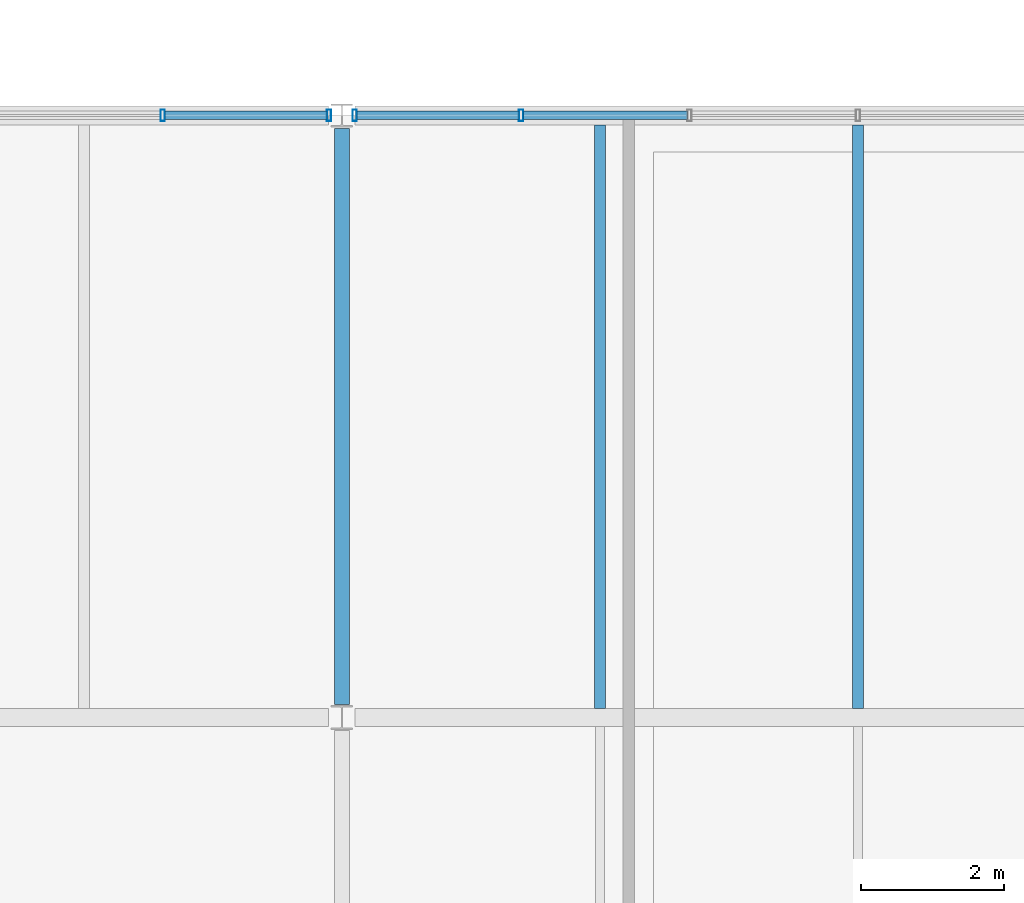
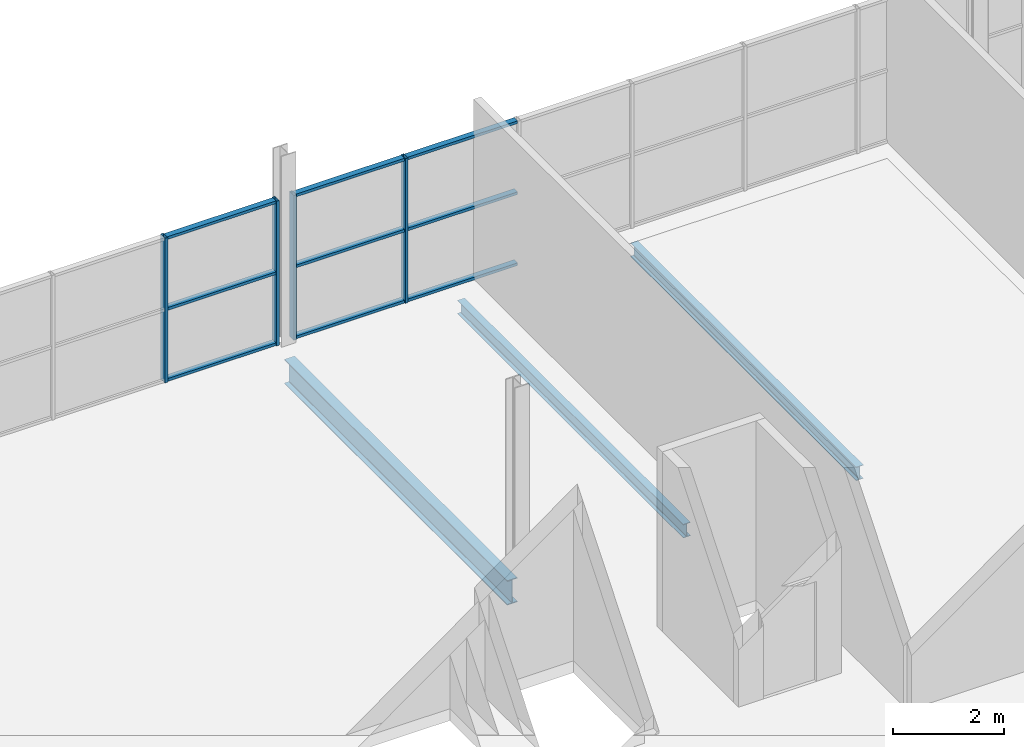
# One storey, part 54 of 93: 13 members, 3 beams, 2 elements without a shape of their own.
"""IFC4 building model written with IfcOpenShell, lengths in metres."""

from ifc_helpers import new_model, si_unit, direction, frame, origin, origin_2d, place, context, subcontext, project, spatial, hollow_rectangle, i_section, extrude, material, material_profile, profile_set, type_object, element, aggregate, save


model = new_model("IFC4")

# Units and contexts
model_context = context("Model", 3, precision=1e-05, world=origin(), true_north=direction((0.0, 1.0)))
body_context = subcontext(model_context, "Body", "Model", "MODEL_VIEW")
ifc_project = project(units=[si_unit("LENGTHUNIT", "METRE"), si_unit("AREAUNIT", "SQUARE_METRE"), si_unit("VOLUMEUNIT", "CUBIC_METRE"), si_unit("PLANEANGLEUNIT", "RADIAN"), si_unit("MASSUNIT", "GRAM", prefix="KILO"), si_unit("THERMODYNAMICTEMPERATUREUNIT", "KELVIN")], contexts=[model_context])

# Site, building, storey
site_placement = place(None, origin())
site = spatial("IfcSite", under=ifc_project, at=site_placement, CompositionType="ELEMENT")
building_placement = place(site_placement, origin())
building = spatial("IfcBuilding", under=site, at=building_placement, Name="Nduvali Passage Aquatics Centre", CompositionType="ELEMENT")
storey_placement = place(building_placement, frame((0.0, 0.0, 9.0)))
storey = spatial("IfcBuildingStorey", under=building, at=storey_placement, Name="L02", CompositionType="ELEMENT", Elevation=9.0)

# Curtain wall, members
ifc_material_1 = material(Name="Aluminium EN AW-6063 T6", Category="aluminium")
curtain_wall_type = type_object("IfcCurtainWallType", Name="ENV-CW-WELL", PredefinedType="NOTDEFINED", material=ifc_material_1)
curtain_wall_1_placement = place(storey_placement, origin())
curtain_wall_1 = element("IfcCurtainWall", 1, at=curtain_wall_1_placement, inside=storey, type_object=curtain_wall_type, Name="L02 North Avenue Clinic CW 104", PredefinedType="NOTDEFINED")
ifc_material_profile_1 = material_profile(ifc_material_1, hollow_rectangle(XDim=0.06005859375, YDim=0.159912109375, WallThickness=0.00390625, at=origin_2d()), Name="ALU MULLION 60x160x4")
ifc_profile_set_1 = profile_set([ifc_material_profile_1], Name="Aluminium EN AW-6063 T6")
member_type_1 = type_object("IfcMemberType", Name="ENV-MEM-MUL60", PredefinedType="MULLION", material=ifc_profile_set_1)
member_1_placement = place(storey_placement, frame((80.300048828125, 117.60009765625, 0.0), z_axis=(0.0, 0.0, 1.0), x_axis=(1.0, 0.0, 0.0)))
member_1 = element("IfcMember", 2, at=member_1_placement, type_object=member_type_1, Name="North Avenue Clinic CW Mullion 6", PredefinedType="MULLION", context=body_context, shape_type="SweptSolid", body=[
    extrude(hollow_rectangle(XDim=0.06005859375, YDim=0.159912109375, WallThickness=0.00390625, at=origin_2d()), origin(), (0.0, 0.0, 1.0), 3.183837890625),
])
member_2_placement = place(storey_placement, frame((82.6201171875, 117.60009765625, 0.0), z_axis=(0.0, 0.0, 1.0), x_axis=(1.0, 0.0, 0.0)))
member_2 = element("IfcMember", 3, at=member_2_placement, type_object=member_type_1, Name="North Avenue Clinic CW Mullion 7", PredefinedType="MULLION", context=body_context, shape_type="SweptSolid", body=[
    extrude(hollow_rectangle(XDim=0.06005859375, YDim=0.159912109375, WallThickness=0.00390625, at=origin_2d()), origin(), (0.0, 0.0, 1.0), 3.183837890625),
])

curtain_wall_2_placement = place(storey_placement, origin())
curtain_wall_2 = element("IfcCurtainWall", 4, at=curtain_wall_2_placement, inside=storey, type_object=curtain_wall_type, Name="L02 North Avenue Clinic CW 109", PredefinedType="NOTDEFINED")
member_3_placement = place(storey_placement, frame((82.97998046875, 117.60009765625, 0.0), z_axis=(0.0, 0.0, 1.0), x_axis=(1.0, 0.0, 0.0)))
member_3 = element("IfcMember", 5, at=member_3_placement, type_object=member_type_1, Name="North Avenue Clinic CW Mullion 1", PredefinedType="MULLION", context=body_context, shape_type="SweptSolid", body=[
    extrude(hollow_rectangle(XDim=0.06005859375, YDim=0.159912109375, WallThickness=0.00390625, at=origin_2d()), origin(), (0.0, 0.0, 1.0), 3.183837890625),
])
member_4_placement = place(storey_placement, frame((85.300048828125, 117.60009765625, 0.0), z_axis=(0.0, 0.0, 1.0), x_axis=(1.0, 0.0, 0.0)))
member_4 = element("IfcMember", 6, at=member_4_placement, type_object=member_type_1, Name="North Avenue Clinic CW Mullion 2", PredefinedType="MULLION", context=body_context, shape_type="SweptSolid", body=[
    extrude(hollow_rectangle(XDim=0.06005859375, YDim=0.159912109375, WallThickness=0.00390625, at=origin_2d()), origin(), (0.0, 0.0, 1.0), 3.183837890625),
])

# Member
ifc_material_profile_2 = material_profile(ifc_material_1, hollow_rectangle(XDim=0.1201171875, YDim=0.06005859375, WallThickness=0.00390625, at=origin_2d()), Name="ALU TRANSOM 120x60x4")
ifc_profile_set_2 = profile_set([ifc_material_profile_2], Name="Aluminium EN AW-6063 T6")
member_type_2 = type_object("IfcMemberType", Name="ENV-MEM-TRN60", PredefinedType="USERDEFINED", material=ifc_profile_set_2)
member_5_placement = place(storey_placement, frame((80.330078125, 117.60009765625, 0.030029296875), z_axis=(1.0, 0.0, 0.0), x_axis=(0.0, 1.0, 0.0)))
member_5 = element("IfcMember", 7, at=member_5_placement, type_object=member_type_2, Name="North Avenue Clinic CW Transom B6-R0", ObjectType="TRANSOM", PredefinedType="USERDEFINED", context=body_context, shape_type="SweptSolid", body=[
    extrude(hollow_rectangle(XDim=0.1201171875, YDim=0.06005859375, WallThickness=0.00390625, at=origin_2d()), origin(), (0.0, 0.0, 1.0), 2.260009765625),
])

member_6_placement = place(storey_placement, frame((80.330078125, 117.60009765625, 1.591796875), z_axis=(1.0, 0.0, 0.0), x_axis=(0.0, 1.0, 0.0)))
member_6 = element("IfcMember", 8, at=member_6_placement, type_object=member_type_2, Name="North Avenue Clinic CW Transom B6-R1", ObjectType="TRANSOM", PredefinedType="USERDEFINED", context=body_context, shape_type="SweptSolid", body=[
    extrude(hollow_rectangle(XDim=0.1201171875, YDim=0.06005859375, WallThickness=0.00390625, at=origin_2d()), origin(), (0.0, 0.0, 1.0), 2.260009765625),
])

member_7_placement = place(storey_placement, frame((80.330078125, 117.60009765625, 3.15380859375), z_axis=(1.0, 0.0, 0.0), x_axis=(0.0, 1.0, 0.0)))
member_7 = element("IfcMember", 9, at=member_7_placement, type_object=member_type_2, Name="North Avenue Clinic CW Transom B6-R2", ObjectType="TRANSOM", PredefinedType="USERDEFINED", context=body_context, shape_type="SweptSolid", body=[
    extrude(hollow_rectangle(XDim=0.1201171875, YDim=0.06005859375, WallThickness=0.00390625, at=origin_2d()), origin(), (0.0, 0.0, 1.0), 2.260009765625),
])

aggregate(curtain_wall_1, [member_1, member_2, member_5, member_6, member_7])

member_8_placement = place(storey_placement, frame((83.010009765625, 117.60009765625, 0.030029296875), z_axis=(1.0, 0.0, 0.0), x_axis=(0.0, 1.0, 0.0)))
member_8 = element("IfcMember", 10, at=member_8_placement, type_object=member_type_2, Name="North Avenue Clinic CW Transom B1-R0", ObjectType="TRANSOM", PredefinedType="USERDEFINED", context=body_context, shape_type="SweptSolid", body=[
    extrude(hollow_rectangle(XDim=0.1201171875, YDim=0.06005859375, WallThickness=0.00390625, at=origin_2d()), origin(), (0.0, 0.0, 1.0), 2.260009765625),
])

member_9_placement = place(storey_placement, frame((83.010009765625, 117.60009765625, 1.591796875), z_axis=(1.0, 0.0, 0.0), x_axis=(0.0, 1.0, 0.0)))
member_9 = element("IfcMember", 11, at=member_9_placement, type_object=member_type_2, Name="North Avenue Clinic CW Transom B1-R1", ObjectType="TRANSOM", PredefinedType="USERDEFINED", context=body_context, shape_type="SweptSolid", body=[
    extrude(hollow_rectangle(XDim=0.1201171875, YDim=0.06005859375, WallThickness=0.00390625, at=origin_2d()), origin(), (0.0, 0.0, 1.0), 2.260009765625),
])

member_10_placement = place(storey_placement, frame((83.010009765625, 117.60009765625, 3.15380859375), z_axis=(1.0, 0.0, 0.0), x_axis=(0.0, 1.0, 0.0)))
member_10 = element("IfcMember", 12, at=member_10_placement, type_object=member_type_2, Name="North Avenue Clinic CW Transom B1-R2", ObjectType="TRANSOM", PredefinedType="USERDEFINED", context=body_context, shape_type="SweptSolid", body=[
    extrude(hollow_rectangle(XDim=0.1201171875, YDim=0.06005859375, WallThickness=0.00390625, at=origin_2d()), origin(), (0.0, 0.0, 1.0), 2.260009765625),
])

member_11_placement = place(storey_placement, frame((85.330078125, 117.60009765625, 0.030029296875), z_axis=(1.0, 0.0, 0.0), x_axis=(0.0, 1.0, 0.0)))
member_11 = element("IfcMember", 13, at=member_11_placement, type_object=member_type_2, Name="North Avenue Clinic CW Transom B2-R0", ObjectType="TRANSOM", PredefinedType="USERDEFINED", context=body_context, shape_type="SweptSolid", body=[
    extrude(hollow_rectangle(XDim=0.1201171875, YDim=0.06005859375, WallThickness=0.00390625, at=origin_2d()), origin(), (0.0, 0.0, 1.0), 2.2900390625),
])

member_12_placement = place(storey_placement, frame((85.330078125, 117.60009765625, 1.591796875), z_axis=(1.0, 0.0, 0.0), x_axis=(0.0, 1.0, 0.0)))
member_12 = element("IfcMember", 14, at=member_12_placement, type_object=member_type_2, Name="North Avenue Clinic CW Transom B2-R1", ObjectType="TRANSOM", PredefinedType="USERDEFINED", context=body_context, shape_type="SweptSolid", body=[
    extrude(hollow_rectangle(XDim=0.1201171875, YDim=0.06005859375, WallThickness=0.00390625, at=origin_2d()), origin(), (0.0, 0.0, 1.0), 2.2900390625),
])

member_13_placement = place(storey_placement, frame((85.330078125, 117.60009765625, 3.15380859375), z_axis=(1.0, 0.0, 0.0), x_axis=(0.0, 1.0, 0.0)))
member_13 = element("IfcMember", 15, at=member_13_placement, type_object=member_type_2, Name="North Avenue Clinic CW Transom B2-R2", ObjectType="TRANSOM", PredefinedType="USERDEFINED", context=body_context, shape_type="SweptSolid", body=[
    extrude(hollow_rectangle(XDim=0.1201171875, YDim=0.06005859375, WallThickness=0.00390625, at=origin_2d()), origin(), (0.0, 0.0, 1.0), 2.2900390625),
])

aggregate(curtain_wall_2, [member_3, member_4, member_8, member_9, member_10, member_11, member_12, member_13])

# Beams
ifc_material_2 = material(Name="Steel S355", Category="steel")
ifc_material_profile_3 = material_profile(ifc_material_2, i_section(OverallWidth=0.210693359375, OverallDepth=0.53955078125, WebThickness=0.01171875, FlangeThickness=0.018798828125, FilletRadius=0.0126953125, at=origin_2d()), Name="UKB 533x210x109")
ifc_profile_set_3 = profile_set([ifc_material_profile_3], Name="Steel S355")
beam_type_1 = type_object("IfcBeamType", Name="STR-BM-UKB533", PredefinedType="BEAM", material=ifc_profile_set_3)
beam_placement = place(storey_placement, frame((82.800048828125, 109.381103515625, -0.53369140625), z_axis=(0.0, 1.0, 0.0), x_axis=(-1.0, 0.0, 0.0)))
element("IfcBeam", 16, at=beam_placement, inside=storey, type_object=beam_type_1, Name="L02 Primary Y-Girder B6-0992", PredefinedType="BEAM", context=body_context, shape_type="SweptSolid", body=[
    extrude(i_section(OverallWidth=0.210693359375, OverallDepth=0.53955078125, WebThickness=0.01171875, FlangeThickness=0.018798828125, FilletRadius=0.0126953125, at=origin_2d()), origin(), (0.0, 0.0, 1.0), 8.037841796875),
])
ifc_material_profile_4 = material_profile(ifc_material_2, i_section(OverallWidth=0.14990234375, OverallDepth=0.300048828125, WebThickness=0.007080078125, FlangeThickness=0.0107421875, FilletRadius=0.014892578125, at=origin_2d()), Name="IPE 300")
ifc_profile_set_4 = profile_set([ifc_material_profile_4], Name="Steel S355")
beam_type_2 = type_object("IfcBeamType", Name="STR-JST-IPE300", PredefinedType="JOIST", material=ifc_profile_set_4)
for number, where, z_axis, x_axis, name in (
    (17, (86.39990234375, 109.326904296875, -0.4140625), (0.0, 1.0, 0.0), (-1.0, 0.0, 0.0), "L02 Secondary Joist J7-1192"),
    (18, (90.0, 109.326904296875, -0.4140625), (0.0, 1.0, 0.0), (-1.0, 0.0, 0.0), "L02 Secondary Joist J7-1193"),
):
    element("IfcBeam", number, at=place(storey_placement, frame(where, z_axis=z_axis, x_axis=x_axis)), inside=storey, type_object=beam_type_2, Name=name, PredefinedType="JOIST", context=body_context, shape_type="SweptSolid", body=[
        extrude(i_section(OverallWidth=0.14990234375, OverallDepth=0.300048828125, WebThickness=0.007080078125, FlangeThickness=0.0107421875, FilletRadius=0.014892578125, at=origin_2d()), origin(), (0.0, 0.0, 1.0), 8.139892578125),
    ])

save(model, "model.ifc")
